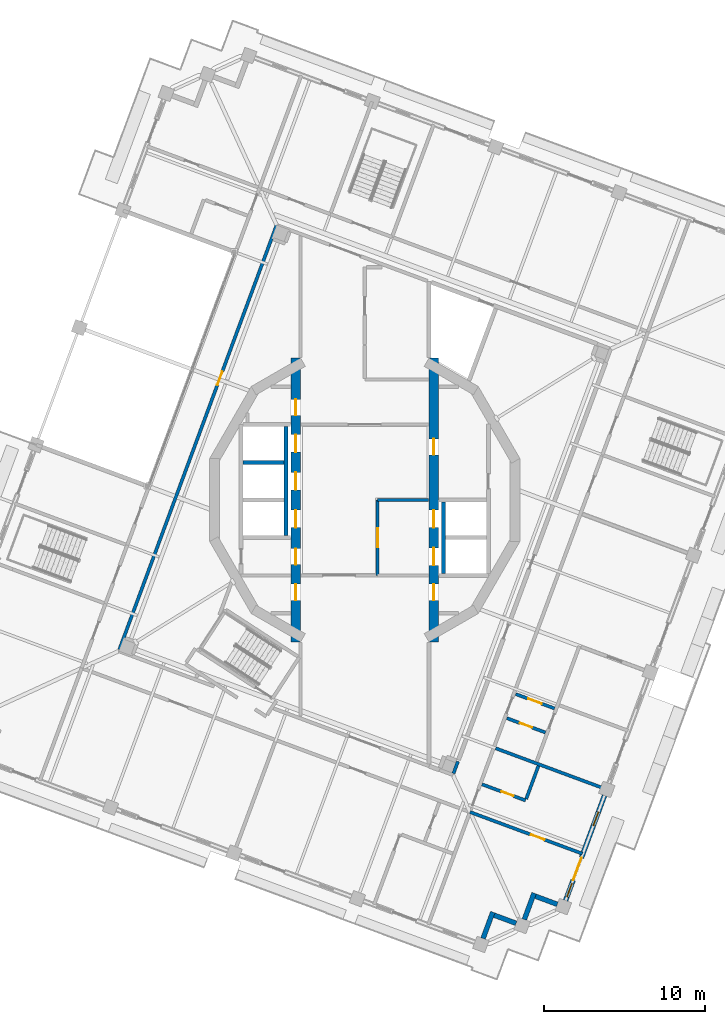
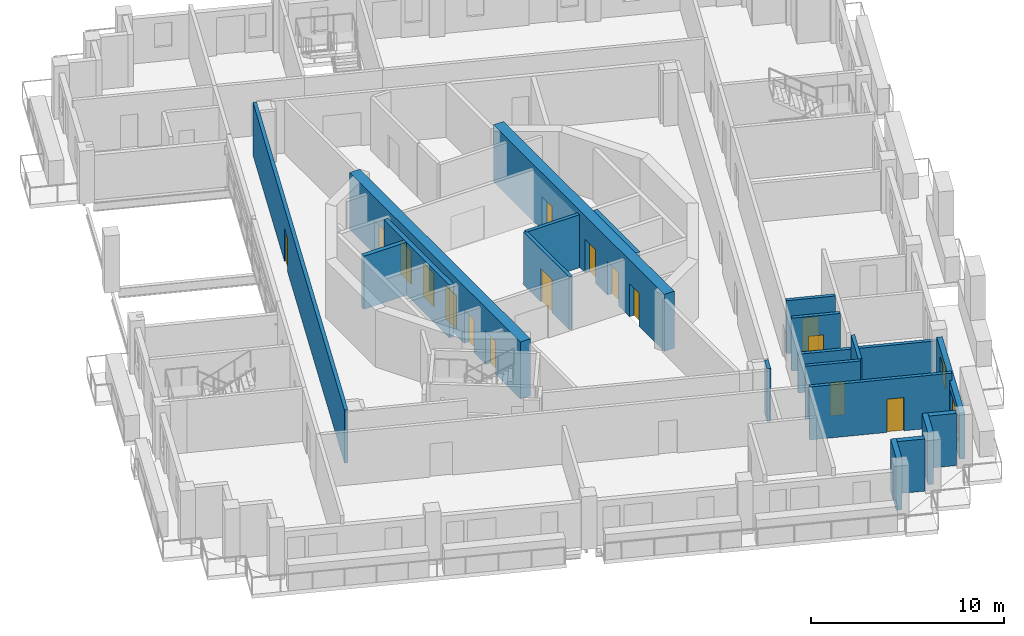
# One storey, part 9 of 20: 20 walls, 17 doors, 2 windows, 19 openings.
"""IFC4 building model written with IfcOpenShell, lengths in metres."""

from ifc_helpers import new_model, si_unit, direction, frame, frame_2d, origin, place, context, subcontext, project, spatial, rectangle, extrude, material, layer, layer_set, type_object, element, fill, save


model = new_model("IFC4")

# Units and contexts
model_context = context("Model", 3, precision=1e-05, world=origin(), true_north=direction((0.0, 1.0)))
body_context = subcontext(model_context, "Body", "Model", "MODEL_VIEW")
ifc_project = project(units=[si_unit("LENGTHUNIT", "METRE"), si_unit("AREAUNIT", "SQUARE_METRE"), si_unit("VOLUMEUNIT", "CUBIC_METRE"), si_unit("PLANEANGLEUNIT", "RADIAN"), si_unit("MASSUNIT", "GRAM", prefix="KILO")], contexts=[model_context])

# Site, building, storey
site_placement = place(None, origin())
site = spatial("IfcSite", under=ifc_project, at=site_placement, CompositionType="ELEMENT")
building_placement = place(site_placement, origin())
building = spatial("IfcBuilding", under=site, at=building_placement, Name="Cantera Rosa Tower", CompositionType="ELEMENT")
storey_placement = place(building_placement, frame((0.0, 0.0, 309.699951171875)))
storey = spatial("IfcBuildingStorey", under=building, at=storey_placement, Name="L68", CompositionType="ELEMENT", Elevation=309.699951171875)

# Wall, opening, door
ifc_material_1 = material(Name="Gypsum board partition")
ifc_layer_1 = layer(ifc_material_1, 0.199951171875)
ifc_layer_set_1 = layer_set([ifc_layer_1], Name="CORRIDOR WALL 200 H3350")
wall_type_1 = type_object("IfcWallType", Name="CORRIDOR WALL 200 H3350", PredefinedType="PARTITIONING", material=ifc_layer_set_1)
wall_1_placement = place(storey_placement, frame((-5.491455078125, 17.125244140625, 0.0), z_axis=(0.0, 0.0, 1.0), x_axis=(-0.347478457093, -0.937687966147, 0.0)))
wall_1 = element("IfcWall", 1, at=wall_1_placement, inside=storey, type_object=wall_type_1, Name="CORRIDOR WALL L68-039", PredefinedType="PARTITIONING", context=body_context, shape_type="SweptSolid", body=[
    extrude(rectangle(XDim=28.19970703125, YDim=0.199951171875, at=frame_2d((14.099853515625, 0.0))), origin(), (0.0, 0.0, 1.0), 3.35009765625),
])
opening_1_placement = place(wall_1_placement, frame((9.72509765625, 0.0, 0.0)))
opening_1 = element("IfcOpeningElement", 2, at=opening_1_placement, cuts=wall_1, Name="Opening L68-006", PredefinedType="OPENING", context=body_context, shape_type="SweptSolid", body=[
    extrude(rectangle(XDim=0.89990234375, YDim=2.10009765625, at=frame_2d((0.449951171875, 1.050048828125))), frame((0.0, 0.10986328125, 0.0), z_axis=(0.0, -1.0, 0.0), x_axis=(1.0, 0.0, 0.0)), (0.0, 0.0, 1.0), 0.219970703125),
])
ifc_material_2 = material(Name="Timber door leaf", Category="wood")
door_type_1 = type_object("IfcDoorType", Name="SERVICE DOOR 900x2100", OperationType="NOTDEFINED", PredefinedType="DOOR", material=ifc_material_2)
door_1_placement = place(opening_1_placement, origin())
door_1 = element("IfcDoor", 3, at=door_1_placement, inside=storey, type_object=door_type_1, Name="DOOR L68-006", OperationType="NOTDEFINED", OverallHeight=2.10009765625, OverallWidth=0.89990234375, PredefinedType="DOOR", context=body_context, shape_type="SweptSolid", body=[
    extrude(rectangle(XDim=0.89990234375, YDim=2.10009765625, at=frame_2d((0.449951171875, 1.050048828125))), frame((0.0, 0.02490234375, 0.0), z_axis=(0.0, -1.0, 0.0), x_axis=(1.0, 0.0, 0.0)), (0.0, 0.0, 1.0), 0.050048828125),
])
fill(opening_1, door_1)

# Walls
wall_2_placement = place(storey_placement, frame((5.526123046875, -17.031494140625, 0.0), z_axis=(0.0, 0.0, 1.0), x_axis=(0.34764237862, 0.93762720555, 0.0)))
element("IfcWall", 4, at=wall_2_placement, inside=storey, type_object=wall_type_1, Name="CORRIDOR WALL L68-073", PredefinedType="PARTITIONING", context=body_context, shape_type="SweptSolid", body=[
    extrude(rectangle(XDim=0.7998046875, YDim=0.199951171875, at=frame_2d((0.39990234375, 0.0))), origin(), (0.0, 0.0, 1.0), 3.35009765625),
])
ifc_material_3 = material(Name="Hollow clay masonry with cantera stone cladding", Category="masonry")
ifc_layer_2 = layer(ifc_material_3, 0.300048828125)
ifc_layer_set_2 = layer_set([ifc_layer_2], Name="EW-LOGGIA 300")
wall_type_2 = type_object("IfcWallType", Name="EW-LOGGIA 300", PredefinedType="SOLIDWALL", material=ifc_layer_set_2)
wall_3_placement = place(storey_placement, frame((7.36865234375, -27.312255859375, 0.0), z_axis=(0.0, 0.0, 1.0), x_axis=(0.34752790836, 0.937669639538, 0.0)))
element("IfcWall", 5, at=wall_3_placement, inside=storey, type_object=wall_type_2, Name="EN-L68-W18a", PredefinedType="SOLIDWALL", context=body_context, shape_type="SweptSolid", body=[
    extrude(rectangle(XDim=1.75, YDim=0.300048828125, at=frame_2d((0.875, 0.0))), origin(), (0.0, 0.0, 1.0), 3.300048828125),
])
wall_4_placement = place(storey_placement, frame((8.065185546875, -25.8642578125, 0.0), z_axis=(0.0, 0.0, 1.0), x_axis=(0.937671557958, -0.347522732201, 0.0)))
element("IfcWall", 6, at=wall_4_placement, inside=storey, type_object=wall_type_2, Name="EN-L68-W18b", PredefinedType="SOLIDWALL", context=body_context, shape_type="SweptSolid", body=[
    extrude(rectangle(XDim=1.449951171875, YDim=0.300048828125, at=frame_2d((0.72509765625, 0.0))), origin(), (0.0, 0.0, 1.0), 3.300048828125),
])
wall_5_placement = place(storey_placement, frame((9.93896484375, -26.132080078125, 0.0), z_axis=(0.0, 0.0, 1.0), x_axis=(0.34748245117, 0.937686486054, 0.0)))
element("IfcWall", 7, at=wall_5_placement, inside=storey, type_object=wall_type_2, Name="EN-L68-W19a", PredefinedType="SOLIDWALL", context=body_context, shape_type="SweptSolid", body=[
    extrude(rectangle(XDim=1.750244140625, YDim=0.300048828125, at=frame_2d((0.875, 0.0))), origin(), (0.0, 0.0, 1.0), 3.300048828125),
])
wall_6_placement = place(storey_placement, frame((10.635498046875, -24.683837890625, 0.0), z_axis=(0.0, 0.0, 1.0), x_axis=(0.937671557958, -0.347522732201, 0.0)))
element("IfcWall", 8, at=wall_6_placement, inside=storey, type_object=wall_type_2, Name="EN-L68-W19b", PredefinedType="SOLIDWALL", context=body_context, shape_type="SweptSolid", body=[
    extrude(rectangle(XDim=1.449951171875, YDim=0.300048828125, at=frame_2d((0.72509765625, 0.0))), origin(), (0.0, 0.0, 1.0), 3.300048828125),
])

# Wall, openings, windows, door
ifc_material_4 = material(Name="Hollow clay masonry with cantera stone cladding", Category="masonry")
ifc_layer_3 = layer(ifc_material_4, 0.300048828125)
ifc_layer_set_3 = layer_set([ifc_layer_3], Name="EW-LOGGIA 300 H2890")
wall_type_3 = type_object("IfcWallType", Name="EW-LOGGIA 300 H2890", PredefinedType="SOLIDWALL", material=ifc_layer_set_3)
wall_7_placement = place(storey_placement, frame((12.50927734375, -24.95166015625, 0.0), z_axis=(0.0, 0.0, 1.0), x_axis=(0.347490919506, 0.937683347864, 0.0)))
wall_7 = element("IfcWall", 9, at=wall_7_placement, inside=storey, type_object=wall_type_3, Name="EN-L68-W20", PredefinedType="SOLIDWALL", context=body_context, shape_type="SweptSolid", body=[
    extrude(rectangle(XDim=6.980224609375, YDim=0.300048828125, at=frame_2d((3.490234375, 0.0))), origin(), (0.0, 0.0, 1.0), 2.89013671875),
])
opening_2_placement = place(wall_7_placement, frame((0.2451171875, 0.0, 0.89990234375)))
opening_2 = element("IfcOpeningElement", 10, at=opening_2_placement, cuts=wall_7, Name="Opening L68-W34", PredefinedType="OPENING", context=body_context, shape_type="SweptSolid", body=[
    extrude(rectangle(XDim=0.89990234375, YDim=1.5, at=frame_2d((0.449951171875, 0.75))), frame((0.0, 0.159912109375, 0.0), z_axis=(0.0, -1.0, 0.0), x_axis=(1.0, 0.0, 0.0)), (0.0, 0.0, 1.0), 0.320068359375),
])
opening_3_placement = place(wall_7_placement, frame((1.344970703125, 0.0, 0.0)))
opening_3 = element("IfcOpeningElement", 11, at=opening_3_placement, cuts=wall_7, Name="Opening L68-TD35", PredefinedType="OPENING", context=body_context, shape_type="SweptSolid", body=[
    extrude(rectangle(XDim=1.5, YDim=2.39990234375, at=frame_2d((0.75, 1.199951171875))), frame((0.0, 0.159912109375, 0.0), z_axis=(0.0, -1.0, 0.0), x_axis=(1.0, 0.0, 0.0)), (0.0, 0.0, 1.0), 0.320068359375),
])
opening_4_placement = place(wall_7_placement, frame((4.985107421875, 0.0, 0.89990234375)))
opening_4 = element("IfcOpeningElement", 12, at=opening_4_placement, cuts=wall_7, Name="Opening L68-W36", PredefinedType="OPENING", context=body_context, shape_type="SweptSolid", body=[
    extrude(rectangle(XDim=0.89990234375, YDim=1.5, at=frame_2d((0.449951171875, 0.75))), frame((0.0, 0.159912109375, 0.0), z_axis=(0.0, -1.0, 0.0), x_axis=(1.0, 0.0, 0.0)), (0.0, 0.0, 1.0), 0.320068359375),
])
ifc_material_5 = material(Name="Aluminium frame with clear glass", Category="aluminium")
window_type = type_object("IfcWindowType", Name="Residential window 900x1500", PartitioningType="SINGLE_PANEL", PredefinedType="WINDOW", material=ifc_material_5)
window_1_placement = place(opening_2_placement, origin())
window_1 = element("IfcWindow", 13, at=window_1_placement, inside=storey, type_object=window_type, Name="WINDOW L68-W34", OverallHeight=1.5, OverallWidth=0.89990234375, PartitioningType="SINGLE_PANEL", PredefinedType="WINDOW", context=body_context, shape_type="SweptSolid", body=[
    extrude(rectangle(XDim=0.89990234375, YDim=1.5, at=frame_2d((0.449951171875, 0.75))), frame((0.0, 0.030029296875, 0.0), z_axis=(0.0, -1.0, 0.0), x_axis=(1.0, 0.0, 0.0)), (0.0, 0.0, 1.0), 0.06005859375),
])
fill(opening_2, window_1)
window_2_placement = place(opening_4_placement, origin())
window_2 = element("IfcWindow", 14, at=window_2_placement, inside=storey, type_object=window_type, Name="WINDOW L68-W36", OverallHeight=1.5, OverallWidth=0.89990234375, PartitioningType="SINGLE_PANEL", PredefinedType="WINDOW", context=body_context, shape_type="SweptSolid", body=[
    extrude(rectangle(XDim=0.89990234375, YDim=1.5, at=frame_2d((0.449951171875, 0.75))), frame((0.0, 0.030029296875, 0.0), z_axis=(0.0, -1.0, 0.0), x_axis=(1.0, 0.0, 0.0)), (0.0, 0.0, 1.0), 0.06005859375),
])
fill(opening_4, window_2)
ifc_material_6 = material(Name="Aluminium frame with clear glass", Category="aluminium")
door_type_2 = type_object("IfcDoorType", Name="TD-R 1500x2400", OperationType="NOTDEFINED", PredefinedType="DOOR", material=ifc_material_6)
door_2_placement = place(opening_3_placement, origin())
door_2 = element("IfcDoor", 15, at=door_2_placement, inside=storey, type_object=door_type_2, Name="LOGGIA DOOR L68-TD35", OperationType="SLIDING_TO_LEFT", OverallHeight=2.39990234375, OverallWidth=1.5, PredefinedType="DOOR", context=body_context, shape_type="SweptSolid", body=[
    extrude(rectangle(XDim=1.5, YDim=2.39990234375, at=frame_2d((0.75, 1.199951171875))), frame((0.0, 0.02490234375, 0.0), z_axis=(0.0, -1.0, 0.0), x_axis=(1.0, 0.0, 0.0)), (0.0, 0.0, 1.0), 0.050048828125),
])
fill(opening_3, door_2)

# Wall, opening, door
ifc_material_7 = material(Name="Gypsum board partition")
ifc_layer_4 = layer(ifc_material_7, 0.199951171875)
ifc_layer_set_4 = layer_set([ifc_layer_4], Name="PARTITION 200 H3350")
wall_type_4 = type_object("IfcWallType", Name="PARTITION 200 H3350", PredefinedType="PARTITIONING", material=ifc_layer_set_4)
wall_8_placement = place(storey_placement, frame((6.5537109375, -19.438720703125, 0.0), z_axis=(0.0, 0.0, 1.0), x_axis=(0.937698682222, -0.347449537859, 0.0)))
wall_8 = element("IfcWall", 16, at=wall_8_placement, inside=storey, type_object=wall_type_4, Name="PARTITION L68-078", PredefinedType="PARTITIONING", context=body_context, shape_type="SweptSolid", body=[
    extrude(rectangle(XDim=7.469970703125, YDim=0.199951171875, at=frame_2d((3.73486328125, 0.0))), origin(), (0.0, 0.0, 1.0), 3.35009765625),
])
opening_5_placement = place(wall_8_placement, frame((4.050048828125, 0.0, 0.0)))
opening_5 = element("IfcOpeningElement", 17, at=opening_5_placement, cuts=wall_8, Name="Opening L68-039", PredefinedType="OPENING", context=body_context, shape_type="SweptSolid", body=[
    extrude(rectangle(XDim=0.89990234375, YDim=2.10009765625, at=frame_2d((0.449951171875, 1.050048828125))), frame((0.0, 0.10986328125, 0.0), z_axis=(0.0, -1.0, 0.0), x_axis=(1.0, 0.0, 0.0)), (0.0, 0.0, 1.0), 0.219970703125),
])
ifc_material_8 = material(Name="Timber door leaf", Category="wood")
door_type_3 = type_object("IfcDoorType", Name="ROOM DOOR 900x2100", OperationType="NOTDEFINED", PredefinedType="DOOR", material=ifc_material_8)
door_3_placement = place(opening_5_placement, origin())
door_3 = element("IfcDoor", 18, at=door_3_placement, inside=storey, type_object=door_type_3, Name="DOOR L68-039", OperationType="NOTDEFINED", OverallHeight=2.10009765625, OverallWidth=0.89990234375, PredefinedType="DOOR", context=body_context, shape_type="SweptSolid", body=[
    extrude(rectangle(XDim=0.89990234375, YDim=2.10009765625, at=frame_2d((0.449951171875, 1.050048828125))), frame((0.0, 0.02490234375, 0.0), z_axis=(0.0, -1.0, 0.0), x_axis=(1.0, 0.0, 0.0)), (0.0, 0.0, 1.0), 0.050048828125),
])
fill(opening_5, door_3)

wall_9_placement = place(storey_placement, frame((8.848388671875, -13.591552734375, 0.0), z_axis=(0.0, 0.0, 1.0), x_axis=(0.937682025422, -0.347494488014, 0.0)))
wall_9 = element("IfcWall", 19, at=wall_9_placement, inside=storey, type_object=wall_type_4, Name="PARTITION L68-083", PredefinedType="PARTITIONING", context=body_context, shape_type="SweptSolid", body=[
    extrude(rectangle(XDim=2.56005859375, YDim=0.199951171875, at=frame_2d((1.280029296875, 0.0))), origin(), (0.0, 0.0, 1.0), 3.35009765625),
])
opening_6_placement = place(wall_9_placement, frame((0.8798828125, 0.0, 0.0)))
opening_6 = element("IfcOpeningElement", 20, at=opening_6_placement, cuts=wall_9, Name="Opening L68-032", PredefinedType="OPENING", context=body_context, shape_type="SweptSolid", body=[
    extrude(rectangle(XDim=0.800048828125, YDim=2.10009765625, at=frame_2d((0.39990234375, 1.050048828125))), frame((0.0, 0.10986328125, 0.0), z_axis=(0.0, -1.0, 0.0), x_axis=(1.0, 0.0, 0.0)), (0.0, 0.0, 1.0), 0.219970703125),
])
ifc_material_9 = material(Name="Timber door leaf", Category="wood")
door_type_4 = type_object("IfcDoorType", Name="BATHROOM DOOR 800x2100", OperationType="NOTDEFINED", PredefinedType="DOOR", material=ifc_material_9)
door_4_placement = place(opening_6_placement, origin())
door_4 = element("IfcDoor", 21, at=door_4_placement, inside=storey, type_object=door_type_4, Name="DOOR L68-032", OperationType="NOTDEFINED", OverallHeight=2.10009765625, OverallWidth=0.800048828125, PredefinedType="DOOR", context=body_context, shape_type="SweptSolid", body=[
    extrude(rectangle(XDim=0.800048828125, YDim=2.10009765625, at=frame_2d((0.39990234375, 1.050048828125))), frame((0.0, 0.02490234375, 0.0), z_axis=(0.0, -1.0, 0.0), x_axis=(1.0, 0.0, 0.0)), (0.0, 0.0, 1.0), 0.050048828125),
])
fill(opening_6, door_4)

wall_10_placement = place(storey_placement, frame((9.404541015625, -12.09130859375, 0.0), z_axis=(0.0, 0.0, 1.0), x_axis=(0.937687105286, -0.34748078016, 0.0)))
wall_10 = element("IfcWall", 22, at=wall_10_placement, inside=storey, type_object=wall_type_4, Name="PARTITION L68-084", PredefinedType="PARTITIONING", context=body_context, shape_type="SweptSolid", body=[
    extrude(rectangle(XDim=2.579833984375, YDim=0.199951171875, at=frame_2d((1.2900390625, 0.0))), origin(), (0.0, 0.0, 1.0), 3.35009765625),
])
opening_7_placement = place(wall_10_placement, frame((0.830078125, 0.0, 0.0)))
opening_7 = element("IfcOpeningElement", 23, at=opening_7_placement, cuts=wall_10, Name="Opening L68-033", PredefinedType="OPENING", context=body_context, shape_type="SweptSolid", body=[
    extrude(rectangle(XDim=0.89990234375, YDim=2.10009765625, at=frame_2d((0.449951171875, 1.050048828125))), frame((0.0, 0.10986328125, 0.0), z_axis=(0.0, -1.0, 0.0), x_axis=(1.0, 0.0, 0.0)), (0.0, 0.0, 1.0), 0.219970703125),
])
door_5_placement = place(opening_7_placement, origin())
door_5 = element("IfcDoor", 24, at=door_5_placement, inside=storey, type_object=door_type_3, Name="DOOR L68-033", OperationType="NOTDEFINED", OverallHeight=2.10009765625, OverallWidth=0.89990234375, PredefinedType="DOOR", context=body_context, shape_type="SweptSolid", body=[
    extrude(rectangle(XDim=0.89990234375, YDim=2.10009765625, at=frame_2d((0.449951171875, 1.050048828125))), frame((0.0, 0.02490234375, 0.0), z_axis=(0.0, -1.0, 0.0), x_axis=(1.0, 0.0, 0.0)), (0.0, 0.0, 1.0), 0.050048828125),
])
fill(opening_7, door_5)

wall_11_placement = place(storey_placement, frame((10.020263671875, -18.71826171875, 0.0), z_axis=(0.0, 0.0, 1.0), x_axis=(-0.937681724156, 0.347495300953, 0.0)))
wall_11 = element("IfcWall", 25, at=wall_11_placement, inside=storey, type_object=wall_type_4, Name="PARTITION L68-085", PredefinedType="PARTITIONING", context=body_context, shape_type="SweptSolid", body=[
    extrude(rectangle(XDim=2.900146484375, YDim=0.199951171875, at=frame_2d((1.4501953125, 0.0))), origin(), (0.0, 0.0, 1.0), 3.35009765625),
])
opening_8_placement = place(wall_11_placement, frame((0.800048828125, 0.0, 0.0)))
opening_8 = element("IfcOpeningElement", 26, at=opening_8_placement, cuts=wall_11, Name="Opening L68-038", PredefinedType="OPENING", context=body_context, shape_type="SweptSolid", body=[
    extrude(rectangle(XDim=0.800048828125, YDim=2.10009765625, at=frame_2d((0.39990234375, 1.050048828125))), frame((0.0, 0.10986328125, 0.0), z_axis=(0.0, -1.0, 0.0), x_axis=(1.0, 0.0, 0.0)), (0.0, 0.0, 1.0), 0.219970703125),
])
door_6_placement = place(opening_8_placement, origin())
door_6 = element("IfcDoor", 27, at=door_6_placement, inside=storey, type_object=door_type_4, Name="DOOR L68-038", OperationType="NOTDEFINED", OverallHeight=2.10009765625, OverallWidth=0.800048828125, PredefinedType="DOOR", context=body_context, shape_type="SweptSolid", body=[
    extrude(rectangle(XDim=0.800048828125, YDim=2.10009765625, at=frame_2d((0.39990234375, 1.050048828125))), frame((0.0, 0.02490234375, 0.0), z_axis=(0.0, -1.0, 0.0), x_axis=(1.0, 0.0, 0.0)), (0.0, 0.0, 1.0), 0.050048828125),
])
fill(opening_8, door_6)

# Walls
wall_12_placement = place(storey_placement, frame((10.8193359375, -16.5615234375, 0.0), z_axis=(0.0, 0.0, 1.0), x_axis=(-0.347448078893, -0.937699222818, 0.0)))
element("IfcWall", 28, at=wall_12_placement, inside=storey, type_object=wall_type_4, Name="PARTITION L68-087", PredefinedType="PARTITIONING", context=body_context, shape_type="SweptSolid", body=[
    extrude(rectangle(XDim=2.199951171875, YDim=0.199951171875, at=frame_2d((1.10009765625, 0.0))), origin(), (0.0, 0.0, 1.0), 3.35009765625),
])
ifc_material_10 = material(Name="Gypsum board partition")
ifc_layer_5 = layer(ifc_material_10, 0.199951171875)
ifc_layer_set_5 = layer_set([ifc_layer_5], Name="PARTY WALL 200 H2450")
wall_type_5 = type_object("IfcWallType", Name="PARTY WALL 200 H2450", PredefinedType="PARTITIONING", material=ifc_layer_set_5)
wall_13_placement = place(storey_placement, frame((15.045654296875, -18.02099609375, 0.0), z_axis=(0.0, 0.0, 1.0), x_axis=(-0.937689847803, 0.347473379308, 0.0)))
element("IfcWall", 29, at=wall_13_placement, inside=storey, type_object=wall_type_5, Name="PARTY WALL L68-096", PredefinedType="PARTITIONING", context=body_context, shape_type="SweptSolid", body=[
    extrude(rectangle(XDim=7.35009765625, YDim=0.199951171875, at=frame_2d((3.675048828125, 0.0))), origin(), (0.0, 0.0, 1.0), 2.449951171875),
])

# Wall, openings, doors
ifc_material_11 = material(Name="Concrete C50/60", Category="concrete")
ifc_layer_6 = layer(ifc_material_11, 0.60009765625)
ifc_layer_set_6 = layer_set([ifc_layer_6], Name="RC CORE WALL 600 C50/60")
wall_type_6 = type_object("IfcWallType", Name="RC CORE WALL 600 C50/60", PredefinedType="SHEAR", material=ifc_layer_set_6)
wall_14_placement = place(storey_placement, frame((-4.300048828125, 8.84423828125, 0.0), z_axis=(0.0, 0.0, 1.0), x_axis=(0.0, -1.0, 0.0)))
wall_14 = element("IfcWall", 30, at=wall_14_placement, inside=storey, type_object=wall_type_6, Name="CW-W6 L68", PredefinedType="SHEAR", context=body_context, shape_type="SweptSolid", body=[
    extrude(rectangle(XDim=17.6884765625, YDim=0.60009765625, at=frame_2d((8.84423828125, 0.0))), origin(), (0.0, 0.0, 1.0), 3.60009765625),
])
opening_9_placement = place(wall_14_placement, frame((9.468994140625, 0.0, 0.0)))
opening_9 = element("IfcOpeningElement", 31, at=opening_9_placement, cuts=wall_14, Name="Opening LD-H1-L68", PredefinedType="OPENING", context=body_context, shape_type="SweptSolid", body=[
    extrude(rectangle(XDim=1.10009765625, YDim=2.10009765625, at=frame_2d((0.550048828125, 1.050048828125))), frame((0.0, 0.31005859375, 0.0), z_axis=(0.0, -1.0, 0.0), x_axis=(1.0, 0.0, 0.0)), (0.0, 0.0, 1.0), 0.6201171875),
])
opening_10_placement = place(wall_14_placement, frame((7.119140625, 0.0, 0.0)))
opening_10 = element("IfcOpeningElement", 32, at=opening_10_placement, cuts=wall_14, Name="Opening LD-H2-L68", PredefinedType="OPENING", context=body_context, shape_type="SweptSolid", body=[
    extrude(rectangle(XDim=1.10009765625, YDim=2.10009765625, at=frame_2d((0.550048828125, 1.050048828125))), frame((0.0, 0.31005859375, 0.0), z_axis=(0.0, -1.0, 0.0), x_axis=(1.0, 0.0, 0.0)), (0.0, 0.0, 1.0), 0.6201171875),
])
opening_11_placement = place(wall_14_placement, frame((4.76904296875, 0.0, 0.0)))
opening_11 = element("IfcOpeningElement", 33, at=opening_11_placement, cuts=wall_14, Name="Opening LD-H3-L68", PredefinedType="OPENING", context=body_context, shape_type="SweptSolid", body=[
    extrude(rectangle(XDim=1.10009765625, YDim=2.10009765625, at=frame_2d((0.550048828125, 1.050048828125))), frame((0.0, 0.31005859375, 0.0), z_axis=(0.0, -1.0, 0.0), x_axis=(1.0, 0.0, 0.0)), (0.0, 0.0, 1.0), 0.6201171875),
])
opening_12_placement = place(wall_14_placement, frame((14.091552734375, 0.0, 0.0)))
opening_12 = element("IfcOpeningElement", 34, at=opening_12_placement, cuts=wall_14, Name="Opening SD-L68-15", PredefinedType="OPENING", context=body_context, shape_type="SweptSolid", body=[
    extrude(rectangle(XDim=1.0, YDim=2.10009765625, at=frame_2d((0.5, 1.050048828125))), frame((0.0, 0.31005859375, 0.0), z_axis=(0.0, -1.0, 0.0), x_axis=(1.0, 0.0, 0.0)), (0.0, 0.0, 1.0), 0.6201171875),
])
opening_13_placement = place(wall_14_placement, frame((2.572265625, 0.0, 0.0)))
opening_13 = element("IfcOpeningElement", 35, at=opening_13_placement, cuts=wall_14, Name="Opening SD-L68-16", PredefinedType="OPENING", context=body_context, shape_type="SweptSolid", body=[
    extrude(rectangle(XDim=1.0, YDim=2.10009765625, at=frame_2d((0.5, 1.050048828125))), frame((0.0, 0.31005859375, 0.0), z_axis=(0.0, -1.0, 0.0), x_axis=(1.0, 0.0, 0.0)), (0.0, 0.0, 1.0), 0.6201171875),
])
opening_14_placement = place(wall_14_placement, frame((11.869140625, 0.0, 0.0)))
opening_14 = element("IfcOpeningElement", 36, at=opening_14_placement, cuts=wall_14, Name="Opening SD-L68-17", PredefinedType="OPENING", context=body_context, shape_type="SweptSolid", body=[
    extrude(rectangle(XDim=1.0, YDim=2.10009765625, at=frame_2d((0.5, 1.050048828125))), frame((0.0, 0.31005859375, 0.0), z_axis=(0.0, -1.0, 0.0), x_axis=(1.0, 0.0, 0.0)), (0.0, 0.0, 1.0), 0.6201171875),
])
ifc_material_12 = material(Name="Steel S355J2 (EN 10025-2)", Category="steel")
door_type_5 = type_object("IfcDoorType", Name="LANDING DOOR 1100x2100", OperationType="NOTDEFINED", PredefinedType="DOOR", material=ifc_material_12)
door_7_placement = place(opening_9_placement, origin())
door_7 = element("IfcDoor", 37, at=door_7_placement, inside=storey, type_object=door_type_5, Name="LANDING DOOR H1 L68", OperationType="SLIDING_TO_LEFT", OverallHeight=2.10009765625, OverallWidth=1.10009765625, PredefinedType="DOOR", context=body_context, shape_type="SweptSolid", body=[
    extrude(rectangle(XDim=1.10009765625, YDim=2.10009765625, at=frame_2d((0.550048828125, 1.050048828125))), frame((0.0, 0.02490234375, 0.0), z_axis=(0.0, -1.0, 0.0), x_axis=(1.0, 0.0, 0.0)), (0.0, 0.0, 1.0), 0.050048828125),
])
fill(opening_9, door_7)
door_8_placement = place(opening_10_placement, origin())
door_8 = element("IfcDoor", 38, at=door_8_placement, inside=storey, type_object=door_type_5, Name="LANDING DOOR H2 L68", OperationType="SLIDING_TO_LEFT", OverallHeight=2.10009765625, OverallWidth=1.10009765625, PredefinedType="DOOR", context=body_context, shape_type="SweptSolid", body=[
    extrude(rectangle(XDim=1.10009765625, YDim=2.10009765625, at=frame_2d((0.550048828125, 1.050048828125))), frame((0.0, 0.02490234375, 0.0), z_axis=(0.0, -1.0, 0.0), x_axis=(1.0, 0.0, 0.0)), (0.0, 0.0, 1.0), 0.050048828125),
])
fill(opening_10, door_8)
door_9_placement = place(opening_11_placement, origin())
door_9 = element("IfcDoor", 39, at=door_9_placement, inside=storey, type_object=door_type_5, Name="LANDING DOOR H3 L68", OperationType="SLIDING_TO_LEFT", OverallHeight=2.10009765625, OverallWidth=1.10009765625, PredefinedType="DOOR", context=body_context, shape_type="SweptSolid", body=[
    extrude(rectangle(XDim=1.10009765625, YDim=2.10009765625, at=frame_2d((0.550048828125, 1.050048828125))), frame((0.0, 0.02490234375, 0.0), z_axis=(0.0, -1.0, 0.0), x_axis=(1.0, 0.0, 0.0)), (0.0, 0.0, 1.0), 0.050048828125),
])
fill(opening_11, door_9)
ifc_material_13 = material(Name="Timber door leaf", Category="wood")
door_type_6 = type_object("IfcDoorType", Name="SERVICE DOOR 1000x2100", OperationType="NOTDEFINED", PredefinedType="DOOR", material=ifc_material_13)
door_10_placement = place(opening_12_placement, origin())
door_10 = element("IfcDoor", 40, at=door_10_placement, inside=storey, type_object=door_type_6, Name="DOOR L68-SD15", OperationType="NOTDEFINED", OverallHeight=2.10009765625, OverallWidth=1.0, PredefinedType="DOOR", context=body_context, shape_type="SweptSolid", body=[
    extrude(rectangle(XDim=1.0, YDim=2.10009765625, at=frame_2d((0.5, 1.050048828125))), frame((0.0, 0.02490234375, 0.0), z_axis=(0.0, -1.0, 0.0), x_axis=(1.0, 0.0, 0.0)), (0.0, 0.0, 1.0), 0.050048828125),
])
fill(opening_12, door_10)
door_11_placement = place(opening_13_placement, origin())
door_11 = element("IfcDoor", 41, at=door_11_placement, inside=storey, type_object=door_type_6, Name="DOOR L68-SD16", OperationType="NOTDEFINED", OverallHeight=2.10009765625, OverallWidth=1.0, PredefinedType="DOOR", context=body_context, shape_type="SweptSolid", body=[
    extrude(rectangle(XDim=1.0, YDim=2.10009765625, at=frame_2d((0.5, 1.050048828125))), frame((0.0, 0.02490234375, 0.0), z_axis=(0.0, -1.0, 0.0), x_axis=(1.0, 0.0, 0.0)), (0.0, 0.0, 1.0), 0.050048828125),
])
fill(opening_13, door_11)
door_12_placement = place(opening_14_placement, origin())
door_12 = element("IfcDoor", 42, at=door_12_placement, inside=storey, type_object=door_type_6, Name="DOOR L68-SD17", OperationType="NOTDEFINED", OverallHeight=2.10009765625, OverallWidth=1.0, PredefinedType="DOOR", context=body_context, shape_type="SweptSolid", body=[
    extrude(rectangle(XDim=1.0, YDim=2.10009765625, at=frame_2d((0.5, 1.050048828125))), frame((0.0, 0.02490234375, 0.0), z_axis=(0.0, -1.0, 0.0), x_axis=(1.0, 0.0, 0.0)), (0.0, 0.0, 1.0), 0.050048828125),
])
fill(opening_14, door_12)

wall_15_placement = place(storey_placement, frame((4.300048828125, -8.84423828125, 0.0), z_axis=(0.0, 0.0, 1.0), x_axis=(0.0, 1.0, 0.0)))
wall_15 = element("IfcWall", 43, at=wall_15_placement, inside=storey, type_object=wall_type_6, Name="CW-E6 L68", PredefinedType="SHEAR", context=body_context, shape_type="SweptSolid", body=[
    extrude(rectangle(XDim=17.6884765625, YDim=0.60009765625, at=frame_2d((8.84423828125, 0.0))), origin(), (0.0, 0.0, 1.0), 3.60009765625),
])
opening_15_placement = place(wall_15_placement, frame((4.76904296875, 0.0, 0.0)))
opening_15 = element("IfcOpeningElement", 44, at=opening_15_placement, cuts=wall_15, Name="Opening LD-FF1-L68", PredefinedType="OPENING", context=body_context, shape_type="SweptSolid", body=[
    extrude(rectangle(XDim=1.10009765625, YDim=2.10009765625, at=frame_2d((0.550048828125, 1.050048828125))), frame((0.0, 0.31005859375, 0.0), z_axis=(0.0, -1.0, 0.0), x_axis=(1.0, 0.0, 0.0)), (0.0, 0.0, 1.0), 0.6201171875),
])
opening_16_placement = place(wall_15_placement, frame((7.119140625, 0.0, 0.0)))
opening_16 = element("IfcOpeningElement", 45, at=opening_16_placement, cuts=wall_15, Name="Opening LD-FF2-L68", PredefinedType="OPENING", context=body_context, shape_type="SweptSolid", body=[
    extrude(rectangle(XDim=1.10009765625, YDim=2.10009765625, at=frame_2d((0.550048828125, 1.050048828125))), frame((0.0, 0.31005859375, 0.0), z_axis=(0.0, -1.0, 0.0), x_axis=(1.0, 0.0, 0.0)), (0.0, 0.0, 1.0), 0.6201171875),
])
opening_17_placement = place(wall_15_placement, frame((2.5966796875, 0.0, 0.0)))
opening_17 = element("IfcOpeningElement", 46, at=opening_17_placement, cuts=wall_15, Name="Opening SD-L68-18", PredefinedType="OPENING", context=body_context, shape_type="SweptSolid", body=[
    extrude(rectangle(XDim=1.0, YDim=2.10009765625, at=frame_2d((0.5, 1.050048828125))), frame((0.0, 0.31005859375, 0.0), z_axis=(0.0, -1.0, 0.0), x_axis=(1.0, 0.0, 0.0)), (0.0, 0.0, 1.0), 0.6201171875),
])
opening_18_placement = place(wall_15_placement, frame((11.6494140625, 0.0, 0.0)))
opening_18 = element("IfcOpeningElement", 47, at=opening_18_placement, cuts=wall_15, Name="Opening SD-L68-19", PredefinedType="OPENING", context=body_context, shape_type="SweptSolid", body=[
    extrude(rectangle(XDim=1.0, YDim=2.10009765625, at=frame_2d((0.5, 1.050048828125))), frame((0.0, 0.31005859375, 0.0), z_axis=(0.0, -1.0, 0.0), x_axis=(1.0, 0.0, 0.0)), (0.0, 0.0, 1.0), 0.6201171875),
])
door_13_placement = place(opening_15_placement, origin())
door_13 = element("IfcDoor", 48, at=door_13_placement, inside=storey, type_object=door_type_5, Name="LANDING DOOR FF1 L68", OperationType="SLIDING_TO_LEFT", OverallHeight=2.10009765625, OverallWidth=1.10009765625, PredefinedType="DOOR", context=body_context, shape_type="SweptSolid", body=[
    extrude(rectangle(XDim=1.10009765625, YDim=2.10009765625, at=frame_2d((0.550048828125, 1.050048828125))), frame((0.0, 0.02490234375, 0.0), z_axis=(0.0, -1.0, 0.0), x_axis=(1.0, 0.0, 0.0)), (0.0, 0.0, 1.0), 0.050048828125),
])
fill(opening_15, door_13)
door_14_placement = place(opening_16_placement, origin())
door_14 = element("IfcDoor", 49, at=door_14_placement, inside=storey, type_object=door_type_5, Name="LANDING DOOR FF2 L68", OperationType="SLIDING_TO_LEFT", OverallHeight=2.10009765625, OverallWidth=1.10009765625, PredefinedType="DOOR", context=body_context, shape_type="SweptSolid", body=[
    extrude(rectangle(XDim=1.10009765625, YDim=2.10009765625, at=frame_2d((0.550048828125, 1.050048828125))), frame((0.0, 0.02490234375, 0.0), z_axis=(0.0, -1.0, 0.0), x_axis=(1.0, 0.0, 0.0)), (0.0, 0.0, 1.0), 0.050048828125),
])
fill(opening_16, door_14)
door_15_placement = place(opening_17_placement, origin())
door_15 = element("IfcDoor", 50, at=door_15_placement, inside=storey, type_object=door_type_6, Name="DOOR L68-SD18", OperationType="NOTDEFINED", OverallHeight=2.10009765625, OverallWidth=1.0, PredefinedType="DOOR", context=body_context, shape_type="SweptSolid", body=[
    extrude(rectangle(XDim=1.0, YDim=2.10009765625, at=frame_2d((0.5, 1.050048828125))), frame((0.0, 0.02490234375, 0.0), z_axis=(0.0, -1.0, 0.0), x_axis=(1.0, 0.0, 0.0)), (0.0, 0.0, 1.0), 0.050048828125),
])
fill(opening_17, door_15)
door_16_placement = place(opening_18_placement, origin())
door_16 = element("IfcDoor", 51, at=door_16_placement, inside=storey, type_object=door_type_6, Name="DOOR L68-SD19", OperationType="NOTDEFINED", OverallHeight=2.10009765625, OverallWidth=1.0, PredefinedType="DOOR", context=body_context, shape_type="SweptSolid", body=[
    extrude(rectangle(XDim=1.0, YDim=2.10009765625, at=frame_2d((0.5, 1.050048828125))), frame((0.0, 0.02490234375, 0.0), z_axis=(0.0, -1.0, 0.0), x_axis=(1.0, 0.0, 0.0)), (0.0, 0.0, 1.0), 0.050048828125),
])
fill(opening_18, door_16)

# Walls
ifc_material_14 = material(Name="Masonry blockwork", Category="masonry")
ifc_layer_7 = layer(ifc_material_14, 0.25)
ifc_layer_set_7 = layer_set([ifc_layer_7], Name="SHAFT WALL 250 H3350")
wall_type_7 = type_object("IfcWallType", Name="SHAFT WALL 250 H3350", PredefinedType="SOLIDWALL", material=ifc_layer_set_7)
wall_16_placement = place(storey_placement, frame((-7.574951171875, 2.35009765625, 0.0), z_axis=(0.0, 0.0, 1.0), x_axis=(1.0, 0.0, 0.0)))
element("IfcWall", 52, at=wall_16_placement, inside=storey, type_object=wall_type_7, Name="SHAFT WALL L68-024", PredefinedType="SOLIDWALL", context=body_context, shape_type="SweptSolid", body=[
    extrude(rectangle(XDim=2.554931640625, YDim=0.25, at=frame_2d((1.27734375, 0.0))), origin(), (0.0, 0.0, 1.0), 3.35009765625),
])
wall_17_placement = place(storey_placement, frame((-4.89990234375, -2.22509765625, 0.0), z_axis=(0.0, 0.0, 1.0), x_axis=(0.0, 1.0, 0.0)))
element("IfcWall", 53, at=wall_17_placement, inside=storey, type_object=wall_type_7, Name="SHAFT WALL L68-041", PredefinedType="SOLIDWALL", context=body_context, shape_type="SweptSolid", body=[
    extrude(rectangle(XDim=6.800048828125, YDim=0.25, at=frame_2d((3.39990234375, 0.0))), origin(), (0.0, 0.0, 1.0), 3.35009765625),
])
wall_18_placement = place(storey_placement, frame((4.89990234375, -0.125, 0.0), z_axis=(0.0, 0.0, 1.0), x_axis=(0.0, -1.0, 0.0)))
element("IfcWall", 54, at=wall_18_placement, inside=storey, type_object=wall_type_7, Name="SHAFT WALL L68-071", PredefinedType="SOLIDWALL", context=body_context, shape_type="SweptSolid", body=[
    extrude(rectangle(XDim=4.449951171875, YDim=0.25, at=frame_2d((2.22509765625, 0.0))), origin(), (0.0, 0.0, 1.0), 3.35009765625),
])

# Wall, opening, door
ifc_material_15 = material(Name="Concrete C50/60", Category="concrete")
ifc_layer_8 = layer(ifc_material_15, 0.199951171875)
ifc_layer_set_8 = layer_set([ifc_layer_8], Name="STAIR WALL 200 H3350")
wall_type_8 = type_object("IfcWallType", Name="STAIR WALL 200 H3350", PredefinedType="SOLIDWALL", material=ifc_layer_set_8)
wall_19_placement = place(storey_placement, frame((0.800048828125, -4.699951171875, 0.0), z_axis=(0.0, 0.0, 1.0), x_axis=(0.0, 1.0, 0.0)))
wall_19 = element("IfcWall", 55, at=wall_19_placement, inside=storey, type_object=wall_type_8, Name="STAIR WALL L68-056", PredefinedType="SOLIDWALL", context=body_context, shape_type="SweptSolid", body=[
    extrude(rectangle(XDim=4.699951171875, YDim=0.199951171875, at=frame_2d((2.35009765625, 0.0))), origin(), (0.0, 0.0, 1.0), 3.35009765625),
])
opening_19_placement = place(wall_19_placement, frame((1.75, 0.0, 0.0)))
opening_19 = element("IfcOpeningElement", 56, at=opening_19_placement, cuts=wall_19, Name="Opening L68-013", PredefinedType="OPENING", context=body_context, shape_type="SweptSolid", body=[
    extrude(rectangle(XDim=1.199951171875, YDim=2.10009765625, at=frame_2d((0.60009765625, 1.050048828125))), frame((0.0, 0.10986328125, 0.0), z_axis=(0.0, -1.0, 0.0), x_axis=(1.0, 0.0, 0.0)), (0.0, 0.0, 1.0), 0.219970703125),
])
ifc_material_16 = material(Name="Steel S355J2 (EN 10025-2)", Category="steel")
door_type_7 = type_object("IfcDoorType", Name="FIRE DOOR 1200x2100", OperationType="NOTDEFINED", PredefinedType="DOOR", material=ifc_material_16)
door_17_placement = place(opening_19_placement, origin())
door_17 = element("IfcDoor", 57, at=door_17_placement, inside=storey, type_object=door_type_7, Name="DOOR L68-013", OperationType="NOTDEFINED", OverallHeight=2.10009765625, OverallWidth=1.199951171875, PredefinedType="DOOR", context=body_context, shape_type="SweptSolid", body=[
    extrude(rectangle(XDim=1.199951171875, YDim=2.10009765625, at=frame_2d((0.60009765625, 1.050048828125))), frame((0.0, 0.02490234375, 0.0), z_axis=(0.0, -1.0, 0.0), x_axis=(1.0, 0.0, 0.0)), (0.0, 0.0, 1.0), 0.050048828125),
])
fill(opening_19, door_17)

# Wall
wall_20_placement = place(storey_placement, frame((0.800048828125, 0.0, 0.0), z_axis=(0.0, 0.0, 1.0), x_axis=(1.0, 0.0, 0.0)))
element("IfcWall", 58, at=wall_20_placement, inside=storey, type_object=wall_type_8, Name="STAIR WALL L68-057", PredefinedType="SOLIDWALL", context=body_context, shape_type="SweptSolid", body=[
    extrude(rectangle(XDim=3.169921875, YDim=0.199951171875, at=frame_2d((1.5849609375, 0.0))), origin(), (0.0, 0.0, 1.0), 3.35009765625),
])

save(model, "model.ifc")
